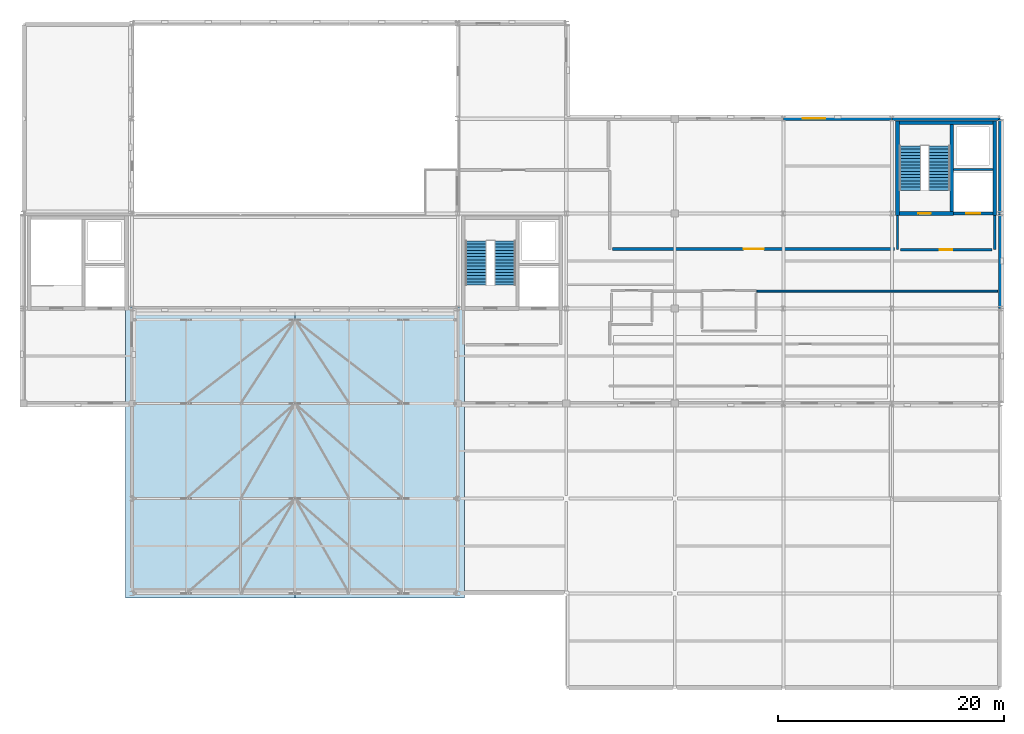
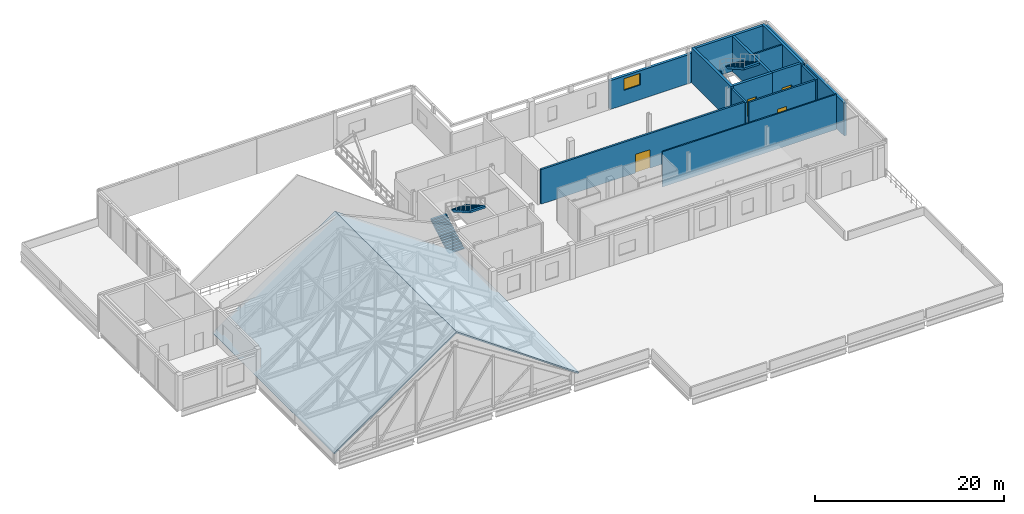
# One storey, part 24 of 26: 16 walls, 4 doors, 4 stair flights, 2 roofs, 1 window, 5 openings, 2 elements without a shape of their own.
"""IFC4 building model written with IfcOpenShell, lengths in metres."""

from ifc_helpers import new_model, si_unit, direction, frame, frame_2d, origin, place, context, subcontext, project, spatial, polyline, rectangle, outline, extrude, material, layer, layer_set, type_object, element, fill, aggregate, save


model = new_model("IFC4")

# Units and contexts
model_context = context("Model", 3, precision=1e-05, world=origin(), true_north=direction((0.0, 1.0)))
body_context = subcontext(model_context, "Body", "Model", "MODEL_VIEW")
ifc_project = project(units=[si_unit("LENGTHUNIT", "METRE"), si_unit("AREAUNIT", "SQUARE_METRE"), si_unit("VOLUMEUNIT", "CUBIC_METRE"), si_unit("PLANEANGLEUNIT", "RADIAN"), si_unit("MASSUNIT", "GRAM", prefix="KILO")], contexts=[model_context])

# Site, building, storey
site_placement = place(None, origin())
site = spatial("IfcSite", under=ifc_project, at=site_placement, CompositionType="ELEMENT")
building_placement = place(site_placement, origin())
building = spatial("IfcBuilding", under=site, at=building_placement, Name="Lornevale Opera House", CompositionType="ELEMENT")
storey_placement = place(building_placement, frame((0.0, 0.0, 19.800048828125)))
storey = spatial("IfcBuildingStorey", under=building, at=storey_placement, Name="L05", CompositionType="ELEMENT", Elevation=19.800048828125)

# Wall, opening, window
ifc_material_1 = material(Name="Queenston Buff Limestone Ashlar Masonry (25 MPa)", Category="masonry")
ifc_layer_1 = layer(ifc_material_1, 0.324951171875)
ifc_layer_set_1 = layer_set([ifc_layer_1], Name="Queenston Buff Limestone Ashlar Masonry (25 MPa)")
wall_type_1 = type_object("IfcWallType", Name="Backstage Limestone Facade Wall 325", PredefinedType="SOLIDWALL", material=ifc_layer_set_1)
wall_1_placement = place(storey_placement, frame((124.820068359375, 75.60009765625, 0.0), z_axis=(0.0, 0.0, 1.0), x_axis=(1.0, 0.0, 0.0)))
wall_1 = element("IfcWall", 1, at=wall_1_placement, inside=storey, type_object=wall_type_1, Name="Backstage Limestone Facade Wall 325 WL-EXT-0288", PredefinedType="SOLIDWALL", context=body_context, shape_type="SweptSolid", body=[
    extrude(rectangle(XDim=9.559814453125, YDim=0.324951171875, at=frame_2d((4.77978515625, 0.0))), origin(), (0.0, 0.0, 1.0), 3.72900390625),
])
opening_1_placement = place(wall_1_placement, frame((1.677001953125, 0.0, 1.89990234375)))
opening_1 = element("IfcOpeningElement", 2, at=opening_1_placement, cuts=wall_1, Name="Opening WN-T11", PredefinedType="OPENING", context=body_context, shape_type="SweptSolid", body=[
    extrude(rectangle(XDim=2.0, YDim=1.5, at=frame_2d((1.0, 0.75))), frame((0.0, 0.17236328125, 0.0), z_axis=(0.0, -1.0, 0.0), x_axis=(1.0, 0.0, 0.0)), (0.0, 0.0, 1.0), 0.344970703125),
])
ifc_material_2 = material(Name="Triple Low-E Insulated Glazing", Category="glass")
ifc_layer_2 = layer(ifc_material_2, 0.06005859375)
ifc_layer_set_2 = layer_set([ifc_layer_2], Name="Triple Low-E Insulated Glazing")
window_type = type_object("IfcWindowType", Name="Workshop Operable Window 2000x1500", PartitioningType="NOTDEFINED", PredefinedType="WINDOW", material=ifc_layer_set_2)
window_placement = place(opening_1_placement, origin())
window = element("IfcWindow", 3, at=window_placement, inside=storey, type_object=window_type, Name="Workshop Operable Window 2000x1500 WN-0121", OverallHeight=1.5, OverallWidth=2.0, PartitioningType="SINGLE_PANEL", PredefinedType="WINDOW", context=body_context, shape_type="SweptSolid", body=[
    extrude(rectangle(XDim=2.0, YDim=1.5, at=frame_2d((1.0, 0.75))), frame((0.0, 0.030029296875, 0.0), z_axis=(0.0, -1.0, 0.0), x_axis=(1.0, 0.0, 0.0)), (0.0, 0.0, 1.0), 0.06005859375),
])
fill(opening_1, window)

# Walls
wall_2_placement = place(storey_placement, frame((144.0, 67.179931640625, 0.0), z_axis=(0.0, 0.0, 1.0), x_axis=(0.0, -1.0, 0.0)))
element("IfcWall", 4, at=wall_2_placement, inside=storey, type_object=wall_type_1, Name="Backstage Limestone Facade Wall 325 WL-EXT-0291", PredefinedType="SOLIDWALL", context=body_context, shape_type="SweptSolid", body=[
    extrude(rectangle(XDim=8.35986328125, YDim=0.324951171875, at=frame_2d((4.179931640625, 0.0))), origin(), (0.0, 0.0, 1.0), 4.248046875),
])
wall_3_placement = place(storey_placement, frame((134.419921875, 75.60009765625, 0.0), z_axis=(0.0, 0.0, 1.0), x_axis=(1.0, 0.0, 0.0)))
element("IfcWall", 5, at=wall_3_placement, inside=storey, type_object=wall_type_1, Name="Backstage Limestone Facade Wall 325 WL-EXT-0292", PredefinedType="SOLIDWALL", context=body_context, shape_type="SweptSolid", body=[
    extrude(rectangle(XDim=9.56005859375, YDim=0.324951171875, at=frame_2d((4.780029296875, 0.0))), origin(), (0.0, 0.0, 1.0), 3.806884765625),
])
wall_4_placement = place(storey_placement, frame((144.0, 75.580078125, 0.0), z_axis=(0.0, 0.0, 1.0), x_axis=(0.0, -1.0, 0.0)))
element("IfcWall", 6, at=wall_4_placement, inside=storey, type_object=wall_type_1, Name="Backstage Limestone Facade Wall 325 WL-EXT-0293", PredefinedType="SOLIDWALL", context=body_context, shape_type="SweptSolid", body=[
    extrude(rectangle(XDim=8.360107421875, YDim=0.324951171875, at=frame_2d((4.18017578125, 0.0))), origin(), (0.0, 0.0, 1.0), 4.248046875),
])

# Wall, opening, door
ifc_material_3 = material(Name="Concrete 40 MPa (CSA A23.1 C-1)", Category="concrete")
ifc_layer_3 = layer(ifc_material_3, 0.320068359375)
ifc_layer_set_3 = layer_set([ifc_layer_3], Name="Concrete 40 MPa (CSA A23.1 C-1)")
wall_type_2 = type_object("IfcWallType", Name="Core Shear Wall 320", PredefinedType="SHEAR", material=ifc_layer_set_3)
wall_5_placement = place(storey_placement, frame((135.06005859375, 67.199951171875, 0.0), z_axis=(0.0, 0.0, 1.0), x_axis=(1.0, 0.0, 0.0)))
wall_5 = element("IfcWall", 7, at=wall_5_placement, inside=storey, type_object=wall_type_2, Name="Backstage Firefighter Core East Core Shear Wall 320 WL-COR-0303", PredefinedType="SHEAR", context=body_context, shape_type="SweptSolid", body=[
    extrude(rectangle(XDim=4.780029296875, YDim=0.320068359375, at=frame_2d((2.39013671875, 0.0))), origin(), (0.0, 0.0, 1.0), 4.579833984375),
])
opening_2_placement = place(wall_5_placement, frame((1.68994140625, 0.0, 0.0)))
opening_2 = element("IfcOpeningElement", 8, at=opening_2_placement, cuts=wall_5, Name="Opening DR-T10", PredefinedType="OPENING", context=body_context, shape_type="SweptSolid", body=[
    extrude(rectangle(XDim=1.10009765625, YDim=2.199951171875, at=frame_2d((0.550048828125, 1.10009765625))), frame((0.0, 0.169921875, 0.0), z_axis=(0.0, -1.0, 0.0), x_axis=(1.0, 0.0, 0.0)), (0.0, 0.0, 1.0), 0.340087890625),
])
ifc_material_4 = material(Name="Painted Hollow Metal Door Steel", Category="steel")
ifc_layer_4 = layer(ifc_material_4, 2.199951171875)
ifc_layer_set_4 = layer_set([ifc_layer_4], Name="Painted Hollow Metal Door Steel")
door_type_1 = type_object("IfcDoorType", Name="Protected Exit Stair Door L 1100x2200", OperationType="NOTDEFINED", PredefinedType="DOOR", material=ifc_layer_set_4)
door_1_placement = place(opening_2_placement, origin())
door_1 = element("IfcDoor", 9, at=door_1_placement, inside=storey, type_object=door_type_1, Name="C7 Stair Door L05", OperationType="SINGLE_SWING_LEFT", OverallHeight=2.199951171875, OverallWidth=1.10009765625, PredefinedType="DOOR", context=body_context, shape_type="SweptSolid", body=[
    extrude(rectangle(XDim=1.10009765625, YDim=2.199951171875, at=frame_2d((0.550048828125, 1.10009765625))), frame((0.0, 0.02490234375, 0.0), z_axis=(0.0, -1.0, 0.0), x_axis=(1.0, 0.0, 0.0)), (0.0, 0.0, 1.0), 0.050048828125),
])
fill(opening_2, door_1)

# Walls
wall_6_placement = place(storey_placement, frame((143.340087890625, 75.239990234375, 0.0), z_axis=(0.0, 0.0, 1.0), x_axis=(-1.0, 0.0, 0.0)))
element("IfcWall", 10, at=wall_6_placement, inside=storey, type_object=wall_type_2, Name="Backstage Firefighter Core East Core Shear Wall 320 WL-COR-0305", PredefinedType="SHEAR", context=body_context, shape_type="SweptSolid", body=[
    extrude(rectangle(XDim=8.280029296875, YDim=0.320068359375, at=frame_2d((4.14013671875, 0.0))), origin(), (0.0, 0.0, 1.0), 4.579833984375),
])
for number, where, z_axis, x_axis, name in (
    (11, (134.89990234375, 75.39990234375, 0.0), (0.0, 0.0, 1.0), (0.0, -1.0, 0.0), "Backstage Firefighter Core East Core Shear Wall 320 WL-COR-0306"),
    (12, (143.5, 67.0400390625, 0.0), (0.0, 0.0, 1.0), (0.0, 1.0, 0.0), "Backstage Firefighter Core East Core Shear Wall 320 WL-COR-0307"),
):
    element("IfcWall", number, at=place(storey_placement, frame(where, z_axis=z_axis, x_axis=x_axis)), inside=storey, type_object=wall_type_2, Name=name, PredefinedType="SHEAR", context=body_context, shape_type="SweptSolid", body=[
        extrude(rectangle(XDim=8.35986328125, YDim=0.320068359375, at=frame_2d((4.179931640625, 0.0))), origin(), (0.0, 0.0, 1.0), 4.579833984375),
    ])
ifc_material_5 = material(Name="Acoustic Mineral-Core Gypsum Partition", Category="gypsum")
ifc_layer_5 = layer(ifc_material_5, 0.1650390625)
ifc_layer_set_5 = layer_set([ifc_layer_5], Name="Acoustic Mineral-Core Gypsum Partition")
wall_type_3 = type_object("IfcWallType", Name="Corridor Rated Partition 165", PredefinedType="PARTITIONING", material=ifc_layer_set_5)
wall_7_placement = place(storey_placement, frame((122.4599609375, 60.340087890625, 0.0), z_axis=(0.0, 0.0, 1.0), x_axis=(1.0, 0.0, 0.0)))
element("IfcWall", 13, at=wall_7_placement, inside=storey, type_object=wall_type_3, Name="L05 Partition WL-INT-0900", PredefinedType="PARTITIONING", context=body_context, shape_type="SweptSolid", body=[
    extrude(rectangle(XDim=21.2900390625, YDim=0.1650390625, at=frame_2d((10.64501953125, 0.0))), origin(), (0.0, 0.0, 1.0), 4.550048828125),
])

# Wall, opening, door
ifc_layer_6 = layer(ifc_material_3, 0.280029296875)
ifc_layer_set_6 = layer_set([ifc_layer_6], Name="Concrete 40 MPa (CSA A23.1 C-1)")
wall_type_4 = type_object("IfcWallType", Name="Elevator Shaft Wall 280", PredefinedType="SHEAR", material=ifc_layer_set_6)
wall_8_placement = place(storey_placement, frame((139.840087890625, 67.199951171875, 0.0), z_axis=(0.0, 0.0, 1.0), x_axis=(1.0, 0.0, 0.0)))
wall_8 = element("IfcWall", 14, at=wall_8_placement, inside=storey, type_object=wall_type_4, Name="Backstage Firefighter Core East Elevator Shaft Wall 280 WL-COR-0304", PredefinedType="SHEAR", context=body_context, shape_type="SweptSolid", body=[
    extrude(rectangle(XDim=3.5, YDim=0.280029296875, at=frame_2d((1.75, 0.0))), origin(), (0.0, 0.0, 1.0), 4.579833984375),
])
opening_3_placement = place(wall_8_placement, frame((1.159912109375, 0.0, 0.0)))
opening_3 = element("IfcOpeningElement", 15, at=opening_3_placement, cuts=wall_8, Name="Opening DR-T26", PredefinedType="OPENING", context=body_context, shape_type="SweptSolid", body=[
    extrude(rectangle(XDim=1.199951171875, YDim=2.199951171875, at=frame_2d((0.60009765625, 1.10009765625))), frame((0.0, 0.14990234375, 0.0), z_axis=(0.0, -1.0, 0.0), x_axis=(1.0, 0.0, 0.0)), (0.0, 0.0, 1.0), 0.300048828125),
])
ifc_layer_7 = layer(ifc_material_4, 2.199951171875)
ifc_layer_set_7 = layer_set([ifc_layer_7], Name="Painted Hollow Metal Door Steel")
door_type_2 = type_object("IfcDoorType", Name="Firefighter Lift Landing Door 1200x2200", OperationType="NOTDEFINED", PredefinedType="DOOR", material=ifc_layer_set_7)
door_2_placement = place(opening_3_placement, origin())
door_2 = element("IfcDoor", 16, at=door_2_placement, inside=storey, type_object=door_type_2, Name="L-FF2 Landing Door L05", OperationType="SLIDING_TO_RIGHT", OverallHeight=2.199951171875, OverallWidth=1.199951171875, PredefinedType="DOOR", context=body_context, shape_type="SweptSolid", body=[
    extrude(rectangle(XDim=1.199951171875, YDim=2.199951171875, at=frame_2d((0.60009765625, 1.10009765625))), frame((0.0, 0.02490234375, 0.0), z_axis=(0.0, -1.0, 0.0), x_axis=(1.0, 0.0, 0.0)), (0.0, 0.0, 1.0), 0.050048828125),
])
fill(opening_3, door_2)

# Walls
wall_9_placement = place(storey_placement, frame((139.699951171875, 67.360107421875, 0.0), z_axis=(0.0, 0.0, 1.0), x_axis=(0.0, 1.0, 0.0)))
element("IfcWall", 17, at=wall_9_placement, inside=storey, type_object=wall_type_4, Name="Backstage Firefighter Core East Elevator Shaft Wall 280 WL-COR-0308", PredefinedType="SHEAR", context=body_context, shape_type="SweptSolid", body=[
    extrude(rectangle(XDim=7.719970703125, YDim=0.280029296875, at=frame_2d((3.85986328125, 0.0))), origin(), (0.0, 0.0, 1.0), 4.579833984375),
])
ifc_material_6 = material(Name="Concrete 35 MPa (CSA A23.1 N)", Category="concrete")
ifc_layer_8 = layer(ifc_material_6, 0.219970703125)
ifc_layer_set_8 = layer_set([ifc_layer_8], Name="Concrete 35 MPa (CSA A23.1 N)")
wall_type_5 = type_object("IfcWallType", Name="Firefighter Vestibule Wall 220", PredefinedType="SOLIDWALL", material=ifc_layer_set_8)
for number, where, z_axis, x_axis, name in (
    (18, (134.89990234375, 64.0, 0.0), (0.0, 0.0, 1.0), (0.0, 1.0, 0.0), "C7 Vestibule West Wall WL-INT-0415"),
    (19, (143.5, 64.0, 0.0), (0.0, 0.0, 1.0), (0.0, 1.0, 0.0), "C7 Vestibule East Wall WL-INT-0416"),
):
    element("IfcWall", number, at=place(storey_placement, frame(where, z_axis=z_axis, x_axis=x_axis)), inside=storey, type_object=wall_type_5, Name=name, PredefinedType="SOLIDWALL", context=body_context, shape_type="SweptSolid", body=[
        extrude(rectangle(XDim=3.0400390625, YDim=0.219970703125, at=frame_2d((1.52001953125, 0.0))), origin(), (0.0, 0.0, 1.0), 4.320068359375),
    ])

# Wall, opening, door
wall_10_placement = place(storey_placement, frame((135.14990234375, 64.0, 0.0), z_axis=(0.0, 0.0, 1.0), x_axis=(1.0, 0.0, 0.0)))
wall_10 = element("IfcWall", 20, at=wall_10_placement, inside=storey, type_object=wall_type_5, Name="C7 Vestibule South Wall WL-INT-0417", PredefinedType="SOLIDWALL", context=body_context, shape_type="SweptSolid", body=[
    extrude(rectangle(XDim=8.10009765625, YDim=0.219970703125, at=frame_2d((4.050048828125, 0.0))), origin(), (0.0, 0.0, 1.0), 4.320068359375),
])
opening_4_placement = place(wall_10_placement, frame((3.5, 0.0, 0.0)))
opening_4 = element("IfcOpeningElement", 21, at=opening_4_placement, cuts=wall_10, Name="Opening DR-T13", PredefinedType="OPENING", context=body_context, shape_type="SweptSolid", body=[
    extrude(rectangle(XDim=1.10009765625, YDim=2.199951171875, at=frame_2d((0.550048828125, 1.10009765625))), frame((0.0, 0.119873046875, 0.0), z_axis=(0.0, -1.0, 0.0), x_axis=(1.0, 0.0, 0.0)), (0.0, 0.0, 1.0), 0.239990234375),
])
ifc_layer_9 = layer(ifc_material_4, 2.199951171875)
ifc_layer_set_9 = layer_set([ifc_layer_9], Name="Painted Hollow Metal Door Steel")
door_type_3 = type_object("IfcDoorType", Name="Firefighter Vestibule Door 1100x2200", OperationType="NOTDEFINED", PredefinedType="DOOR", material=ifc_layer_set_9)
door_3_placement = place(opening_4_placement, origin())
door_3 = element("IfcDoor", 22, at=door_3_placement, inside=storey, type_object=door_type_3, Name="C7 Firefighter Vestibule Door L05", OperationType="SINGLE_SWING_LEFT", OverallHeight=2.199951171875, OverallWidth=1.10009765625, PredefinedType="DOOR", context=body_context, shape_type="SweptSolid", body=[
    extrude(rectangle(XDim=1.10009765625, YDim=2.199951171875, at=frame_2d((0.550048828125, 1.10009765625))), frame((0.0, 0.02490234375, 0.0), z_axis=(0.0, -1.0, 0.0), x_axis=(1.0, 0.0, 0.0)), (0.0, 0.0, 1.0), 0.050048828125),
])
fill(opening_4, door_3)

ifc_layer_10 = layer(ifc_material_5, 0.22998046875)
ifc_layer_set_10 = layer_set([ifc_layer_10], Name="Acoustic Mineral-Core Gypsum Partition")
wall_type_6 = type_object("IfcWallType", Name="Rehearsal Studio Acoustic Wall 230", PredefinedType="SOLIDWALL", material=ifc_layer_set_10)
wall_11_placement = place(storey_placement, frame((109.7099609375, 64.06005859375, 0.0), z_axis=(0.0, 0.0, 1.0), x_axis=(1.0, 0.0, 0.0)))
wall_11 = element("IfcWall", 23, at=wall_11_placement, inside=storey, type_object=wall_type_6, Name="L05 Partition WL-INT-0897", PredefinedType="SOLIDWALL", context=body_context, shape_type="SweptSolid", body=[
    extrude(rectangle(XDim=24.93994140625, YDim=0.22998046875, at=frame_2d((12.469970703125, 0.0))), origin(), (0.0, 0.0, 1.0), 4.47998046875),
])
opening_5_placement = place(wall_11_placement, frame((11.570068359375, 0.0, 0.0)))
opening_5 = element("IfcOpeningElement", 24, at=opening_5_placement, cuts=wall_11, Name="Opening DR-T18", PredefinedType="OPENING", context=body_context, shape_type="SweptSolid", body=[
    extrude(rectangle(XDim=1.800048828125, YDim=2.39990234375, at=frame_2d((0.89990234375, 1.199951171875))), frame((0.0, 0.125, 0.0), z_axis=(0.0, -1.0, 0.0), x_axis=(1.0, 0.0, 0.0)), (0.0, 0.0, 1.0), 0.25),
])
ifc_material_7 = material(Name="White Oak Acoustic Panelling", Category="wood")
ifc_layer_11 = layer(ifc_material_7, 2.39990234375)
ifc_layer_set_11 = layer_set([ifc_layer_11], Name="White Oak Acoustic Panelling")
door_type_4 = type_object("IfcDoorType", Name="Rehearsal Studio Pair 1800x2400", OperationType="NOTDEFINED", PredefinedType="DOOR", material=ifc_layer_set_11)
door_4_placement = place(opening_5_placement, origin())
door_4 = element("IfcDoor", 25, at=door_4_placement, inside=storey, type_object=door_type_4, Name="Vocal & Dramaturgy Rehearsal Studios Door", OperationType="DOUBLE_SWING_LEFT", OverallHeight=2.39990234375, OverallWidth=1.800048828125, PredefinedType="DOOR", context=body_context, shape_type="SweptSolid", body=[
    extrude(rectangle(XDim=1.800048828125, YDim=2.39990234375, at=frame_2d((0.89990234375, 1.199951171875))), frame((0.0, 0.02490234375, 0.0), z_axis=(0.0, -1.0, 0.0), x_axis=(1.0, 0.0, 0.0)), (0.0, 0.0, 1.0), 0.050048828125),
])
fill(opening_5, door_4)

# Wall
ifc_material_8 = material(Name="Moisture-Resistant Ceramic & Gypsum Partition", Category="gypsum")
ifc_layer_12 = layer(ifc_material_8, 0.179931640625)
ifc_layer_set_12 = layer_set([ifc_layer_12], Name="Moisture-Resistant Ceramic & Gypsum Partition")
wall_type_7 = type_object("IfcWallType", Name="Riser Shaft Wall 180", PredefinedType="SOLIDWALL", material=ifc_layer_set_12)
wall_12_placement = place(storey_placement, frame((139.840087890625, 71.10009765625, 0.0), z_axis=(0.0, 0.0, 1.0), x_axis=(1.0, 0.0, 0.0)))
element("IfcWall", 26, at=wall_12_placement, inside=storey, type_object=wall_type_7, Name="Backstage Firefighter Core East Riser Shaft Wall 180 WL-COR-0309", PredefinedType="SOLIDWALL", context=body_context, shape_type="SweptSolid", body=[
    extrude(rectangle(XDim=3.5, YDim=0.179931640625, at=frame_2d((1.75, 0.0))), origin(), (0.0, 0.0, 1.0), 4.579833984375),
])

# Stair, stair flights
ifc_layer_13 = layer(ifc_material_6, 4.800048828125)
ifc_layer_set_13 = layer_set([ifc_layer_13], Name="Concrete 35 MPa (CSA A23.1 N)")
stair_type = type_object("IfcStairType", Name="Firefighter Core Stair 4800-W1880", PredefinedType="TWO_STRAIGHT_RUN_STAIR", material=ifc_layer_set_13)
stair_1_placement = place(storey_placement, origin())
stair_1 = element("IfcStair", 27, at=stair_1_placement, inside=storey, type_object=stair_type, Name="Stagehouse Firefighter Core West Stair ST-26 (L05-L06)", PredefinedType="TWO_STRAIGHT_RUN_STAIR")
ifc_layer_14 = layer(ifc_material_6, 0.219970703125)
ifc_layer_set_14 = layer_set([ifc_layer_14], Name="Concrete 35 MPa (CSA A23.1 N)")
stair_flight_type = type_object("IfcStairFlightType", Name="Firefighter Flight 15R-W1880", PredefinedType="STRAIGHT", material=ifc_layer_set_14)
stair_flight_1_placement = place(storey_placement, frame((97.6201171875, 60.860107421875, 0.0), z_axis=(0.0, 0.0, 1.0), x_axis=(0.0, 1.0, 0.0)))
stair_flight_1 = element("IfcStairFlight", 28, at=stair_flight_1_placement, type_object=stair_flight_type, Name="ST-26 Lower Flight SF-051", NumberOfRisers=15, NumberOfTreads=14, PredefinedType="STRAIGHT", RiserHeight=0.16, TreadLength=0.28, context=body_context, shape_type="SweptSolid", body=[
    extrude(outline(polyline([(0.0, 0.0), (0.0, 0.159912109375), (0.280029296875, 0.159912109375), (0.280029296875, 0.320068359375), (0.56005859375, 0.320068359375), (0.56005859375, 0.47998046875), (0.840087890625, 0.47998046875), (0.840087890625, 0.639892578125), (1.1201171875, 0.639892578125), (1.1201171875, 0.800048828125), (1.39990234375, 0.800048828125), (1.39990234375, 0.9599609375), (1.679931640625, 0.9599609375), (1.679931640625, 1.1201171875), (1.9599609375, 1.1201171875), (1.9599609375, 1.280029296875), (2.239990234375, 1.280029296875), (2.239990234375, 1.43994140625), (2.52001953125, 1.43994140625), (2.52001953125, 1.60009765625), (2.800048828125, 1.60009765625), (2.800048828125, 1.760009765625), (3.080078125, 1.760009765625), (3.080078125, 1.919921875), (3.360107421875, 1.919921875), (3.360107421875, 2.080078125), (3.639892578125, 2.080078125), (3.639892578125, 2.239990234375), (3.919921875, 2.239990234375), (3.919921875, 1.986572265625), (0.443359375, 0.0), (0.0, 0.0)])), frame((0.0, 0.93994140625, 0.0), z_axis=(0.0, -1.0, 0.0), x_axis=(1.0, 0.0, 0.0)), (0.0, 0.0, 1.0), 1.8798828125),
])
stair_flight_2_placement = place(storey_placement, frame((100.179931640625, 64.780029296875, 2.39990234375), z_axis=(0.0, 0.0, 1.0), x_axis=(0.0, -1.0, 0.0)))
stair_flight_2 = element("IfcStairFlight", 29, at=stair_flight_2_placement, type_object=stair_flight_type, Name="ST-26 Upper Flight SF-052", NumberOfRisers=15, NumberOfTreads=14, PredefinedType="STRAIGHT", RiserHeight=0.16, TreadLength=0.28, context=body_context, shape_type="SweptSolid", body=[
    extrude(outline(polyline([(0.0, 0.0), (0.0, 0.159912109375), (0.280029296875, 0.159912109375), (0.280029296875, 0.320068359375), (0.56005859375, 0.320068359375), (0.56005859375, 0.47998046875), (0.840087890625, 0.47998046875), (0.840087890625, 0.639892578125), (1.1201171875, 0.639892578125), (1.1201171875, 0.800048828125), (1.39990234375, 0.800048828125), (1.39990234375, 0.9599609375), (1.679931640625, 0.9599609375), (1.679931640625, 1.1201171875), (1.9599609375, 1.1201171875), (1.9599609375, 1.280029296875), (2.239990234375, 1.280029296875), (2.239990234375, 1.43994140625), (2.52001953125, 1.43994140625), (2.52001953125, 1.60009765625), (2.800048828125, 1.60009765625), (2.800048828125, 1.760009765625), (3.080078125, 1.760009765625), (3.080078125, 1.919921875), (3.360107421875, 1.919921875), (3.360107421875, 2.080078125), (3.639892578125, 2.080078125), (3.639892578125, 2.239990234375), (3.919921875, 2.239990234375), (3.919921875, 1.986572265625), (0.443359375, 0.0), (0.0, 0.0)])), frame((0.0, 0.93994140625, 0.0), z_axis=(0.0, -1.0, 0.0), x_axis=(1.0, 0.0, 0.0)), (0.0, 0.0, 1.0), 1.8798828125),
])
aggregate(stair_1, [stair_flight_1, stair_flight_2])

stair_2_placement = place(storey_placement, origin())
stair_2 = element("IfcStair", 30, at=stair_2_placement, inside=storey, type_object=stair_type, Name="Backstage Firefighter Core East Stair ST-34 (L05-L06)", PredefinedType="TWO_STRAIGHT_RUN_STAIR")
stair_flight_3_placement = place(storey_placement, frame((136.02001953125, 69.260009765625, 0.0), z_axis=(0.0, 0.0, 1.0), x_axis=(0.0, 1.0, 0.0)))
stair_flight_3 = element("IfcStairFlight", 31, at=stair_flight_3_placement, type_object=stair_flight_type, Name="ST-34 Lower Flight SF-067", NumberOfRisers=15, NumberOfTreads=14, PredefinedType="STRAIGHT", RiserHeight=0.16, TreadLength=0.28, context=body_context, shape_type="SweptSolid", body=[
    extrude(outline(polyline([(0.0, 0.0), (0.0, 0.159912109375), (0.280029296875, 0.159912109375), (0.280029296875, 0.320068359375), (0.56005859375, 0.320068359375), (0.56005859375, 0.47998046875), (0.840087890625, 0.47998046875), (0.840087890625, 0.639892578125), (1.1201171875, 0.639892578125), (1.1201171875, 0.800048828125), (1.39990234375, 0.800048828125), (1.39990234375, 0.9599609375), (1.679931640625, 0.9599609375), (1.679931640625, 1.1201171875), (1.9599609375, 1.1201171875), (1.9599609375, 1.280029296875), (2.239990234375, 1.280029296875), (2.239990234375, 1.43994140625), (2.52001953125, 1.43994140625), (2.52001953125, 1.60009765625), (2.800048828125, 1.60009765625), (2.800048828125, 1.760009765625), (3.080078125, 1.760009765625), (3.080078125, 1.919921875), (3.360107421875, 1.919921875), (3.360107421875, 2.080078125), (3.639892578125, 2.080078125), (3.639892578125, 2.239990234375), (3.919921875, 2.239990234375), (3.919921875, 1.986572265625), (0.443359375, 0.0), (0.0, 0.0)])), frame((0.0, 0.93994140625, 0.0), z_axis=(0.0, -1.0, 0.0), x_axis=(1.0, 0.0, 0.0)), (0.0, 0.0, 1.0), 1.8798828125),
])
stair_flight_4_placement = place(storey_placement, frame((138.580078125, 73.179931640625, 2.39990234375), z_axis=(0.0, 0.0, 1.0), x_axis=(0.0, -1.0, 0.0)))
stair_flight_4 = element("IfcStairFlight", 32, at=stair_flight_4_placement, type_object=stair_flight_type, Name="ST-34 Upper Flight SF-068", NumberOfRisers=15, NumberOfTreads=14, PredefinedType="STRAIGHT", RiserHeight=0.16, TreadLength=0.28, context=body_context, shape_type="SweptSolid", body=[
    extrude(outline(polyline([(0.0, 0.0), (0.0, 0.159912109375), (0.280029296875, 0.159912109375), (0.280029296875, 0.320068359375), (0.56005859375, 0.320068359375), (0.56005859375, 0.47998046875), (0.840087890625, 0.47998046875), (0.840087890625, 0.639892578125), (1.1201171875, 0.639892578125), (1.1201171875, 0.800048828125), (1.39990234375, 0.800048828125), (1.39990234375, 0.9599609375), (1.679931640625, 0.9599609375), (1.679931640625, 1.1201171875), (1.9599609375, 1.1201171875), (1.9599609375, 1.280029296875), (2.239990234375, 1.280029296875), (2.239990234375, 1.43994140625), (2.52001953125, 1.43994140625), (2.52001953125, 1.60009765625), (2.800048828125, 1.60009765625), (2.800048828125, 1.760009765625), (3.080078125, 1.760009765625), (3.080078125, 1.919921875), (3.360107421875, 1.919921875), (3.360107421875, 2.080078125), (3.639892578125, 2.080078125), (3.639892578125, 2.239990234375), (3.919921875, 2.239990234375), (3.919921875, 1.986572265625), (0.443359375, 0.0), (0.0, 0.0)])), frame((0.0, 0.93994140625, 0.0), z_axis=(0.0, -1.0, 0.0), x_axis=(1.0, 0.0, 0.0)), (0.0, 0.0, 1.0), 1.8798828125),
])
aggregate(stair_2, [stair_flight_3, stair_flight_4])

# Roofs
ifc_material_9 = material(Name="Standing-Seam Patinated Copper Roofing", Category="metal")
ifc_layer_15 = layer(ifc_material_9, 0.159912109375)
ifc_layer_set_15 = layer_set([ifc_layer_15], Name="Standing-Seam Patinated Copper Roofing")
roof_type = type_object("IfcRoofType", Name="Standing-Seam Copper Gable Roof", PredefinedType="GABLE_ROOF", material=ifc_layer_set_15)
for number, where, z_axis, x_axis, name in (
    (33, (66.60009765625, 33.199951171875, 1.5), (-0.573462344363, 0.0, 0.819231920519), (0.819231920519, 0.0, 0.573462344363), "Auditorium 32-deg Copper Gable Roof RF-AUD-01"),
    (34, (81.60009765625, 33.199951171875, 12.0), (0.573462344363, 0.0, 0.819231920519), (0.819231920519, 0.0, -0.573462344363), "Auditorium 32-deg Copper Gable Roof RF-AUD-02"),
):
    element("IfcRoof", number, at=place(storey_placement, frame(where, z_axis=z_axis, x_axis=x_axis)), inside=storey, type_object=roof_type, Name=name, PredefinedType="GABLE_ROOF", context=body_context, shape_type="SweptSolid", body=[
        extrude(outline(polyline([(0.0, 0.0), (18.309833423600555, 0.0), (18.309833423600555, 25.75), (0.0, 25.75), (0.0, 0.0)])), origin(), (0.0, 0.0, -1.0), 0.159912109375),
    ])

save(model, "model.ifc")
